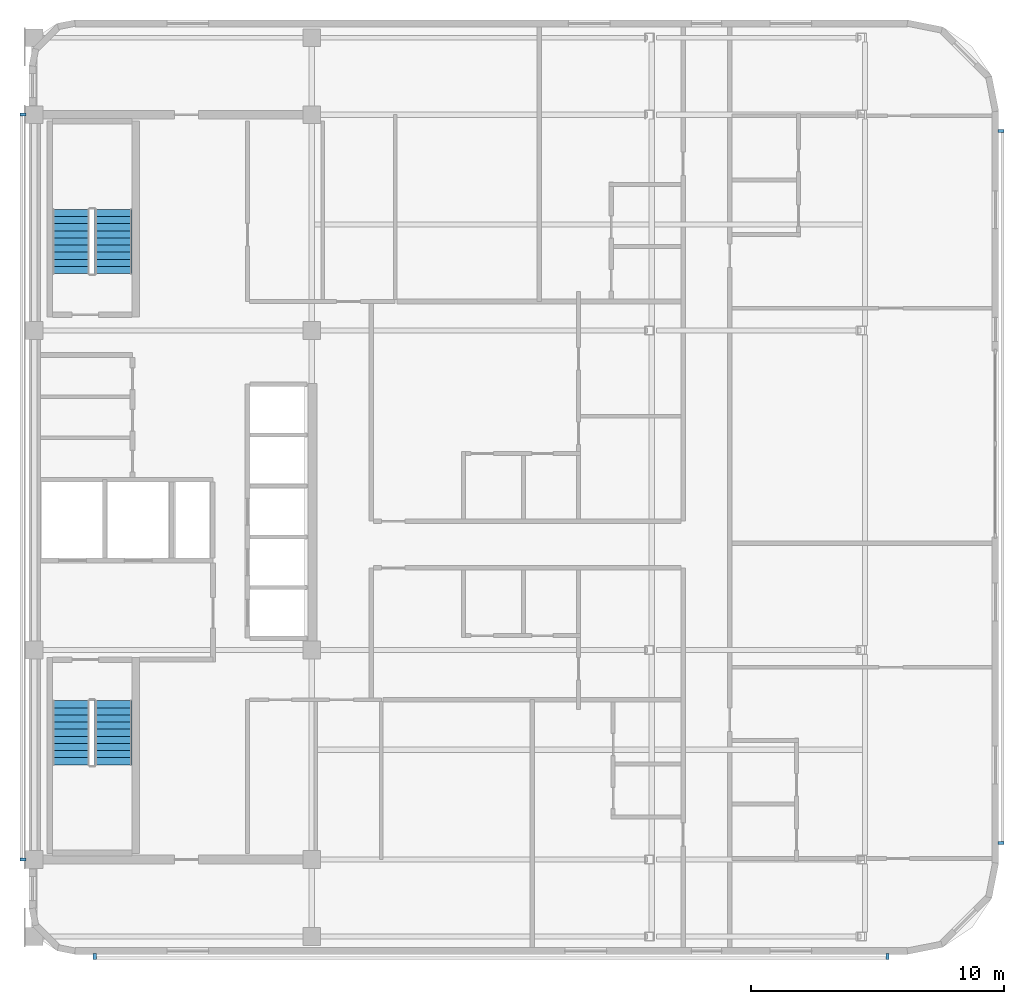
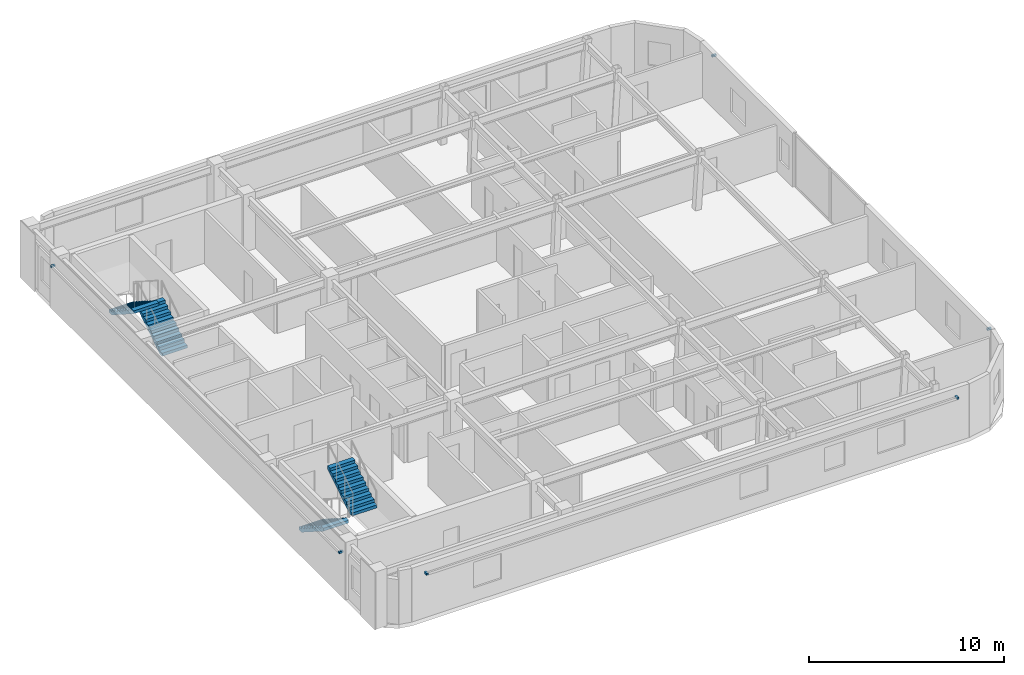
# One storey, part 7 of 10: 6 discrete accessories, 4 stair flights, 2 elements without a shape of their own.
"""IFC4 building model written with IfcOpenShell, lengths in metres."""

import ifcopenshell
import ifcopenshell.guid

model = None  # the IFC model being written
_history = None  # IfcOwnerHistory: only IFC2X3 demands one
_inside = {}  # id of a spatial element -> (the spatial element, [elements in it])
_under = {}  # id of a project, library or spatial element -> (it, [spatial elements below it])
_declared = {}  # id of a project -> (the project, [libraries it declares])
_typed = {}  # id of a type object -> (the type object, [elements of that type])
_made_of = {}  # id of a material, layer set ... -> (it, [elements and type objects made of it])


def new_model(schema):
    """Start an empty IFC model of exactly this schema.

    Asked for "IFC4X3", IfcOpenShell would pick the latest addendum, in which some entities
    have other attributes; the version numbers below select the first issue.
    IFC2X3 requires an IfcOwnerHistory on every rooted entity: one is made here for all.
    """
    global model, _history
    if schema == "IFC4X3":
        model = ifcopenshell.file(schema_version=(4, 3, 0, 0))
    else:
        model = ifcopenshell.file(schema=schema)
    _inside.clear()
    _under.clear()
    _declared.clear()
    _typed.clear()
    _made_of.clear()
    _history = None
    if model.schema == "IFC2X3":
        org = make("IfcOrganization", Name="unknown")
        user = make(
            "IfcPersonAndOrganization",
            ThePerson=make("IfcPerson", FamilyName="unknown"),
            TheOrganization=org,
        )
        app = make(
            "IfcApplication",
            ApplicationDeveloper=org,
            Version="unknown",
            ApplicationFullName="unknown",
            ApplicationIdentifier="unknown",
        )
        _history = make(
            "IfcOwnerHistory",
            OwningUser=user,
            OwningApplication=app,
            ChangeAction="ADDED",
            CreationDate=0,
        )
    return model


def make(cls, **values):
    """One entity of the class cls with the attributes given. An attribute that is None is left unset."""
    return model.create_entity(
        cls, **{name: value for name, value in values.items() if value is not None}
    )


def rooted(cls, **values):
    """An entity with a GlobalId (a new one), such as an element, a storey or a relation."""
    return make(cls, GlobalId=ifcopenshell.guid.new(), OwnerHistory=_history, **values)


def si_unit(unit_type, name, prefix=None):
    """IfcSIUnit, for example si_unit("LENGTHUNIT", "METRE", prefix="MILLI")."""
    return make("IfcSIUnit", UnitType=unit_type, Prefix=prefix, Name=name)


def assignment(units):
    """IfcUnitAssignment: the units of a project."""
    return None if units is None else make("IfcUnitAssignment", Units=units)


def point(xyz):
    """IfcCartesianPoint."""
    return None if xyz is None else make("IfcCartesianPoint", Coordinates=xyz)


def direction(xyz):
    """IfcDirection."""
    return None if xyz is None else make("IfcDirection", DirectionRatios=xyz)


def frame(location, z_axis=None, x_axis=None):
    """IfcAxis2Placement3D, a coordinate frame: its origin and axes. An axis left out is left unset."""
    return make(
        "IfcAxis2Placement3D",
        Location=point(location),
        Axis=direction(z_axis),
        RefDirection=direction(x_axis),
    )


def frame_2d(location, x_axis=None):
    """IfcAxis2Placement2D, a coordinate frame in the plane: its origin and x axis."""
    return make(
        "IfcAxis2Placement2D", Location=point(location), RefDirection=direction(x_axis)
    )


def origin():
    """The frame at (0, 0, 0) with its axes left unset."""
    return frame((0.0, 0.0, 0.0))


def origin_2d():
    """The frame at (0, 0) in the plane with its x axis left unset."""
    return frame_2d((0.0, 0.0))


def place(relative_to, where):
    """IfcLocalPlacement: puts the frame where relative to a parent placement (None: the world)."""
    return make(
        "IfcLocalPlacement", PlacementRelTo=relative_to, RelativePlacement=where
    )


def context(
    kind, dimensions, precision=None, world=None, true_north=None, identifier=None
):
    """IfcGeometricRepresentationContext, for example the 3D "Model" context."""
    return make(
        "IfcGeometricRepresentationContext",
        ContextIdentifier=identifier,
        ContextType=kind,
        CoordinateSpaceDimension=dimensions,
        Precision=precision,
        WorldCoordinateSystem=world,
        TrueNorth=true_north,
    )


def subcontext(parent, identifier, kind, view, scale=None):
    """IfcGeometricRepresentationSubContext, for example "Body" below "Model"."""
    return make(
        "IfcGeometricRepresentationSubContext",
        ContextIdentifier=identifier,
        ContextType=kind,
        ParentContext=parent,
        TargetScale=scale,
        TargetView=view,
    )


def project(units=None, contexts=None):
    """IfcProject with its units and contexts."""
    return rooted(
        "IfcProject",
        Name="project",
        RepresentationContexts=contexts,
        UnitsInContext=assignment(units),
    )


def spatial(cls, under=None, at=None, **own):
    """A site, building, storey or space (cls), placed at a placement, below another one or the project."""
    s = rooted(cls, ObjectPlacement=at, **own)
    if under is not None:
        _under.setdefault(under.id(), (under, []))[1].append(s)
    return s


def polyline(points):
    """IfcPolyline through the points."""
    return make("IfcPolyline", Points=[point(p) for p in points])


def profile(cls, at=None, kind="AREA", **sizes):
    """A parametric profile (cls). Its sizes go by their IFC names, for example OverallWidth=200.0."""
    return make(cls, ProfileType=kind, Position=at, **sizes)


def rectangle(**sizes):
    """IfcRectangleProfileDef."""
    return profile("IfcRectangleProfileDef", **sizes)


def outline(outer, holes=None, kind="AREA"):
    """IfcArbitraryClosedProfileDef: a profile drawn as a closed curve; with holes, ...WithVoids."""
    if holes is None:
        return make("IfcArbitraryClosedProfileDef", ProfileType=kind, OuterCurve=outer)
    return make(
        "IfcArbitraryProfileDefWithVoids",
        ProfileType=kind,
        OuterCurve=outer,
        InnerCurves=holes,
    )


def extrude(swept, where, along, depth):
    """IfcExtrudedAreaSolid: the profile swept, set in the frame where, extruded along a direction by depth."""
    return make(
        "IfcExtrudedAreaSolid",
        SweptArea=swept,
        Position=where,
        ExtrudedDirection=direction(along),
        Depth=depth,
    )


def shape(context_of_items, identifier, shape_type, items):
    """IfcShapeRepresentation: the items that make up one representation, for example the "Body"."""
    return make(
        "IfcShapeRepresentation",
        ContextOfItems=context_of_items,
        RepresentationIdentifier=identifier,
        RepresentationType=shape_type,
        Items=items,
    )


def material(Name=None, Category=None):
    """IfcMaterial."""
    return make("IfcMaterial", Name=Name, Category=Category)


def made_of(thing, what):
    """Note that an element or type object is made of a material, layer set ...; save() writes the relation."""
    if what is not None:
        _made_of.setdefault(what.id(), (what, []))[1].append(thing)
    return thing


def type_object(cls, material=None, **own):
    """A type object (cls), such as IfcWallType, which elements share."""
    return made_of(rooted(cls, **own), material)


def element(
    cls,
    number,
    at=None,
    inside=None,
    cuts=None,
    type_object=None,
    material=None,
    context=None,
    identifier="Body",
    shape_type=None,
    held_by="IfcProductDefinitionShape",
    body=None,
    shapes=None,
    **own,
):
    """One element of the class cls, such as IfcWall. Its Tag is "e" and its number.

    at: its placement. inside: the storey or other place that contains it. cuts: it is an
    opening in that element (IfcRelVoidsElement). A single representation is given by context,
    identifier, shape_type and body (its items); several are given by shapes. held_by: the class
    of the entity that holds the representations. save() writes the other relations.
    """
    e = rooted(cls, Tag="e%d" % number, ObjectPlacement=at, **own)
    if body is not None:
        shapes = [shape(context, identifier, shape_type, body)]
    if shapes is not None:
        e.Representation = make(held_by, Representations=shapes)
    if inside is not None:
        _inside.setdefault(inside.id(), (inside, []))[1].append(e)
    if cuts is not None:
        rooted(
            "IfcRelVoidsElement", RelatingBuildingElement=cuts, RelatedOpeningElement=e
        )
    if type_object is not None:
        _typed.setdefault(type_object.id(), (type_object, []))[1].append(e)
    return made_of(e, material)


def aggregate(whole, parts):
    """IfcRelAggregates: a whole, such as a stair, and the parts it consists of."""
    return rooted("IfcRelAggregates", RelatingObject=whole, RelatedObjects=parts)


def save(model, path):
    """Write the relations noted so far, then the file.

    IfcRelAggregates (storeys below a building ...), IfcRelContainedInSpatialStructure (elements
    in a storey), IfcRelDefinesByType, IfcRelAssociatesMaterial and IfcRelDeclares: one each for
    every whole, place, type object, material and project.
    """
    for whole, parts in _under.values():
        aggregate(whole, parts)
    for where, things in _inside.values():
        rooted(
            "IfcRelContainedInSpatialStructure",
            RelatedElements=things,
            RelatingStructure=where,
        )
    for kind, things in _typed.values():
        rooted("IfcRelDefinesByType", RelatedObjects=things, RelatingType=kind)
    for what, things in _made_of.values():
        rooted("IfcRelAssociatesMaterial", RelatedObjects=things, RelatingMaterial=what)
    for by, libraries in _declared.values():
        rooted("IfcRelDeclares", RelatingContext=by, RelatedDefinitions=libraries)
    model.write(path)


model = new_model("IFC4")

# Units and contexts
model_context = context("Model", 3, precision=1e-05, world=origin(), true_north=direction((0.0, 1.0)))
body_context = subcontext(model_context, "Body", "Model", "MODEL_VIEW")
ifc_project = project(units=[si_unit("LENGTHUNIT", "METRE"), si_unit("AREAUNIT", "SQUARE_METRE"), si_unit("VOLUMEUNIT", "CUBIC_METRE"), si_unit("PLANEANGLEUNIT", "RADIAN"), si_unit("MASSUNIT", "GRAM", prefix="KILO")], contexts=[model_context])

# Site, building, storey
site_placement = place(None, origin())
site = spatial("IfcSite", under=ifc_project, at=site_placement, CompositionType="ELEMENT")
building_placement = place(site_placement, origin())
building = spatial("IfcBuilding", under=site, at=building_placement, Name="Ochreholt Gables", CompositionType="ELEMENT")
storey_placement = place(building_placement, frame((0.0, 0.0, 246.0)))
storey = spatial("IfcBuildingStorey", under=building, at=storey_placement, Name="L64", CompositionType="ELEMENT", Elevation=246.0)

# Stair, stair flights
ifc_material_1 = material(Name="Concrete 40 MPa", Category="concrete")
stair_type_1 = type_object("IfcStairType", Name="STAIR-CORE-ST-1", PredefinedType="HALF_TURN_STAIR", material=ifc_material_1)
stair_1_placement = place(storey_placement, origin())
stair_1 = element("IfcStair", 1, at=stair_1_placement, inside=storey, type_object=stair_type_1, Name="L64 Core Exit Stair 1", PredefinedType="HALF_TURN_STAIR")
stair_flight_type = type_object("IfcStairFlightType", Name="FLIGHT-ST-1480-1800", PredefinedType="STRAIGHT", material=ifc_material_1)
stair_flight_1_placement = place(storey_placement, frame((25.659912109375, 15.5400390625, 0.0), z_axis=(0.0, 0.0, 1.0), x_axis=(0.0, -1.0, 0.0)))
stair_flight_1 = element("IfcStairFlight", 2, at=stair_flight_1_placement, type_object=stair_flight_type, Name="ST-1 flight 1", NumberOfRisers=10, NumberOfTreads=9, PredefinedType="STRAIGHT", RiserHeight=0.18, TreadLength=0.282, context=body_context, shape_type="SweptSolid", body=[
    extrude(outline(polyline([(0.0, 0.0), (0.0, 0.179931640625), (0.281982421875, 0.179931640625), (0.281982421875, 0.360107421875), (0.56396484375, 0.360107421875), (0.56396484375, 0.5400390625), (0.845947265625, 0.5400390625), (0.845947265625, 0.719970703125), (1.1279296875, 0.719970703125), (1.1279296875, 0.89990234375), (1.409912109375, 0.89990234375), (1.409912109375, 1.080078125), (1.69189453125, 1.080078125), (1.69189453125, 1.260009765625), (1.97412109375, 1.260009765625), (1.97412109375, 1.43994140625), (2.256103515625, 1.43994140625), (2.256103515625, 1.6201171875), (2.5380859375, 1.6201171875), (2.5380859375, 1.800048828125), (2.5380859375, 1.442138671875), (0.278564453125, 0.0), (0.0, 0.0)])), frame((0.0, 0.739990234375, 0.0), z_axis=(0.0, -1.0, 0.0), x_axis=(1.0, 0.0, 0.0)), (0.0, 0.0, 1.0), 1.47998046875),
])
stair_flight_2_placement = place(storey_placement, frame((27.340087890625, 13.001953125, 1.800048828125), z_axis=(0.0, 0.0, 1.0), x_axis=(0.0, 1.0, 0.0)))
stair_flight_2 = element("IfcStairFlight", 3, at=stair_flight_2_placement, type_object=stair_flight_type, Name="ST-1 flight 2", NumberOfRisers=10, NumberOfTreads=9, PredefinedType="STRAIGHT", RiserHeight=0.18, TreadLength=0.282, context=body_context, shape_type="SweptSolid", body=[
    extrude(outline(polyline([(0.0, 0.0), (0.0, 0.179931640625), (0.281982421875, 0.179931640625), (0.281982421875, 0.360107421875), (0.56396484375, 0.360107421875), (0.56396484375, 0.5400390625), (0.845947265625, 0.5400390625), (0.845947265625, 0.719970703125), (1.1279296875, 0.719970703125), (1.1279296875, 0.89990234375), (1.409912109375, 0.89990234375), (1.409912109375, 1.080078125), (1.69189453125, 1.080078125), (1.69189453125, 1.260009765625), (1.97412109375, 1.260009765625), (1.97412109375, 1.43994140625), (2.256103515625, 1.43994140625), (2.256103515625, 1.6201171875), (2.5380859375, 1.6201171875), (2.5380859375, 1.800048828125), (2.5380859375, 1.442138671875), (0.278564453125, 0.0), (0.0, 0.0)])), frame((0.0, 0.739990234375, 0.0), z_axis=(0.0, -1.0, 0.0), x_axis=(1.0, 0.0, 0.0)), (0.0, 0.0, 1.0), 1.47998046875),
])
aggregate(stair_1, [stair_flight_1, stair_flight_2])

stair_type_2 = type_object("IfcStairType", Name="STAIR-CORE-ST-2", PredefinedType="HALF_TURN_STAIR", material=ifc_material_1)
stair_2_placement = place(storey_placement, origin())
stair_2 = element("IfcStair", 4, at=stair_2_placement, inside=storey, type_object=stair_type_2, Name="L64 Core Exit Stair 2", PredefinedType="HALF_TURN_STAIR")
stair_flight_3_placement = place(storey_placement, frame((27.340087890625, 32.4599609375, 0.0), z_axis=(0.0, 0.0, 1.0), x_axis=(0.0, 1.0, 0.0)))
stair_flight_3 = element("IfcStairFlight", 5, at=stair_flight_3_placement, type_object=stair_flight_type, Name="ST-2 flight 1", NumberOfRisers=10, NumberOfTreads=9, PredefinedType="STRAIGHT", RiserHeight=0.18, TreadLength=0.282, context=body_context, shape_type="SweptSolid", body=[
    extrude(outline(polyline([(0.0, 0.0), (0.0, 0.179931640625), (0.281982421875, 0.179931640625), (0.281982421875, 0.360107421875), (0.56396484375, 0.360107421875), (0.56396484375, 0.5400390625), (0.845947265625, 0.5400390625), (0.845947265625, 0.719970703125), (1.1279296875, 0.719970703125), (1.1279296875, 0.89990234375), (1.409912109375, 0.89990234375), (1.409912109375, 1.080078125), (1.69189453125, 1.080078125), (1.69189453125, 1.260009765625), (1.97412109375, 1.260009765625), (1.97412109375, 1.43994140625), (2.256103515625, 1.43994140625), (2.256103515625, 1.6201171875), (2.5380859375, 1.6201171875), (2.5380859375, 1.800048828125), (2.5380859375, 1.442138671875), (0.278564453125, 0.0), (0.0, 0.0)])), frame((0.0, 0.739990234375, 0.0), z_axis=(0.0, -1.0, 0.0), x_axis=(1.0, 0.0, 0.0)), (0.0, 0.0, 1.0), 1.47998046875),
])
stair_flight_4_placement = place(storey_placement, frame((25.659912109375, 34.998046875, 1.800048828125), z_axis=(0.0, 0.0, 1.0), x_axis=(0.0, -1.0, 0.0)))
stair_flight_4 = element("IfcStairFlight", 6, at=stair_flight_4_placement, type_object=stair_flight_type, Name="ST-2 flight 2", NumberOfRisers=10, NumberOfTreads=9, PredefinedType="STRAIGHT", RiserHeight=0.18, TreadLength=0.282, context=body_context, shape_type="SweptSolid", body=[
    extrude(outline(polyline([(0.0, 0.0), (0.0, 0.179931640625), (0.281982421875, 0.179931640625), (0.281982421875, 0.360107421875), (0.56396484375, 0.360107421875), (0.56396484375, 0.5400390625), (0.845947265625, 0.5400390625), (0.845947265625, 0.719970703125), (1.1279296875, 0.719970703125), (1.1279296875, 0.89990234375), (1.409912109375, 0.89990234375), (1.409912109375, 1.080078125), (1.69189453125, 1.080078125), (1.69189453125, 1.260009765625), (1.97412109375, 1.260009765625), (1.97412109375, 1.43994140625), (2.256103515625, 1.43994140625), (2.256103515625, 1.6201171875), (2.5380859375, 1.6201171875), (2.5380859375, 1.800048828125), (2.5380859375, 1.442138671875), (0.278564453125, 0.0), (0.0, 0.0)])), frame((0.0, 0.739990234375, 0.0), z_axis=(0.0, -1.0, 0.0), x_axis=(1.0, 0.0, 0.0)), (0.0, 0.0, 1.0), 1.47998046875),
])
aggregate(stair_2, [stair_flight_3, stair_flight_4])

# Discrete accessories
ifc_material_2 = material(Name="Extruded Aluminium Standoff Bracket", Category="aluminium")
discrete_accessory_type = type_object("IfcDiscreteAccessoryType", Name="ACC-BRACKET-AL", PredefinedType="BRACKET", material=ifc_material_2)
for number, where, z_axis, x_axis, name in (
    (7, (26.60009765625, 5.409912109375, 2.780029296875), (0.0, 0.0, 1.0), (1.0, 0.0, 0.0), "L64 Baguette Standoff Bracket S1-1"),
    (8, (58.0, 5.409912109375, 2.780029296875), (0.0, 0.0, 1.0), (1.0, 0.0, 0.0), "L64 Baguette Standoff Bracket S1-2"),
    (9, (62.489990234375, 9.89990234375, 2.780029296875), (0.0, 0.0, 1.0), (0.0, 1.0, 0.0), "L64 Baguette Standoff Bracket E1-1"),
    (10, (62.489990234375, 38.10009765625, 2.780029296875), (0.0, 0.0, 1.0), (0.0, 1.0, 0.0), "L64 Baguette Standoff Bracket E1-2"),
    (11, (23.760009765625, 38.75, 2.780029296875), (0.0, 0.0, 1.0), (0.0, -1.0, 0.0), "L64 Baguette Standoff Bracket W1-1"),
    (12, (23.760009765625, 9.25, 2.780029296875), (0.0, 0.0, 1.0), (0.0, -1.0, 0.0), "L64 Baguette Standoff Bracket W1-2"),
):
    element("IfcDiscreteAccessory", number, at=place(storey_placement, frame(where, z_axis=z_axis, x_axis=x_axis)), inside=storey, type_object=discrete_accessory_type, Name=name, PredefinedType="BRACKET", context=body_context, shape_type="SweptSolid", body=[
        extrude(rectangle(XDim=0.1201171875, YDim=0.239990234375, at=origin_2d()), origin(), (0.0, 0.0, 1.0), 0.1201171875),
    ])

save(model, "model.ifc")
